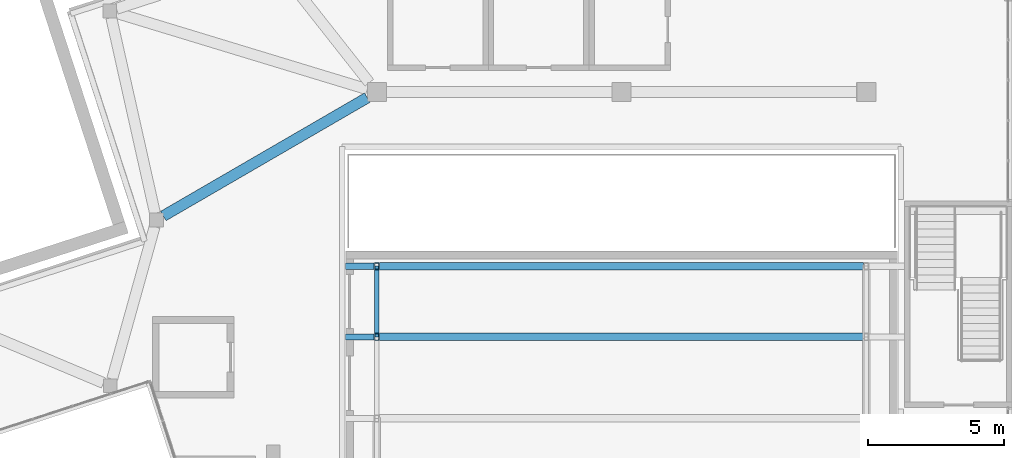
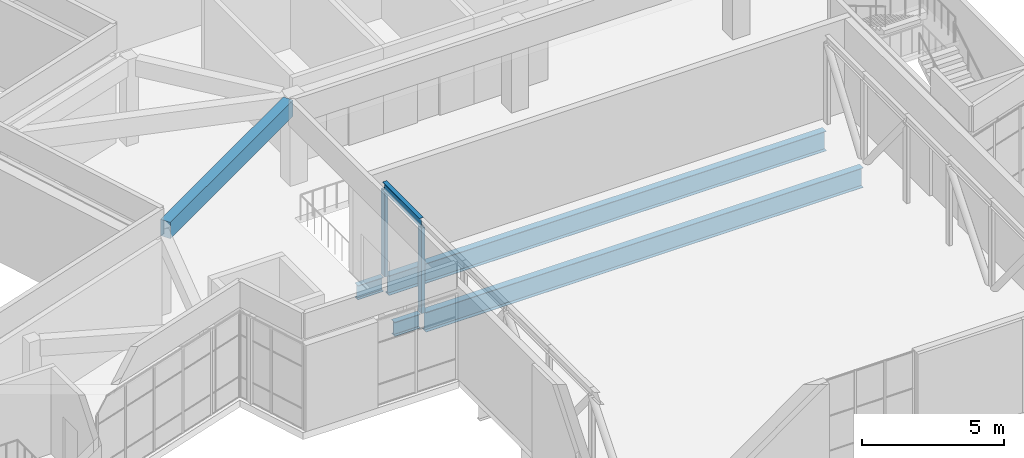
# One storey, part 17 of 72: 5 beams, 3 members.
"""IFC4 building model written with IfcOpenShell, lengths in metres."""

import ifcopenshell
import ifcopenshell.guid

model = None  # the IFC model being written
_history = None  # IfcOwnerHistory: only IFC2X3 demands one
_inside = {}  # id of a spatial element -> (the spatial element, [elements in it])
_under = {}  # id of a project, library or spatial element -> (it, [spatial elements below it])
_declared = {}  # id of a project -> (the project, [libraries it declares])
_typed = {}  # id of a type object -> (the type object, [elements of that type])
_made_of = {}  # id of a material, layer set ... -> (it, [elements and type objects made of it])


def new_model(schema):
    """Start an empty IFC model of exactly this schema.

    Asked for "IFC4X3", IfcOpenShell would pick the latest addendum, in which some entities
    have other attributes; the version numbers below select the first issue.
    IFC2X3 requires an IfcOwnerHistory on every rooted entity: one is made here for all.
    """
    global model, _history
    if schema == "IFC4X3":
        model = ifcopenshell.file(schema_version=(4, 3, 0, 0))
    else:
        model = ifcopenshell.file(schema=schema)
    _inside.clear()
    _under.clear()
    _declared.clear()
    _typed.clear()
    _made_of.clear()
    _history = None
    if model.schema == "IFC2X3":
        org = make("IfcOrganization", Name="unknown")
        user = make(
            "IfcPersonAndOrganization",
            ThePerson=make("IfcPerson", FamilyName="unknown"),
            TheOrganization=org,
        )
        app = make(
            "IfcApplication",
            ApplicationDeveloper=org,
            Version="unknown",
            ApplicationFullName="unknown",
            ApplicationIdentifier="unknown",
        )
        _history = make(
            "IfcOwnerHistory",
            OwningUser=user,
            OwningApplication=app,
            ChangeAction="ADDED",
            CreationDate=0,
        )
    return model


def make(cls, **values):
    """One entity of the class cls with the attributes given. An attribute that is None is left unset."""
    return model.create_entity(
        cls, **{name: value for name, value in values.items() if value is not None}
    )


def rooted(cls, **values):
    """An entity with a GlobalId (a new one), such as an element, a storey or a relation."""
    return make(cls, GlobalId=ifcopenshell.guid.new(), OwnerHistory=_history, **values)


def si_unit(unit_type, name, prefix=None):
    """IfcSIUnit, for example si_unit("LENGTHUNIT", "METRE", prefix="MILLI")."""
    return make("IfcSIUnit", UnitType=unit_type, Prefix=prefix, Name=name)


def assignment(units):
    """IfcUnitAssignment: the units of a project."""
    return None if units is None else make("IfcUnitAssignment", Units=units)


def point(xyz):
    """IfcCartesianPoint."""
    return None if xyz is None else make("IfcCartesianPoint", Coordinates=xyz)


def direction(xyz):
    """IfcDirection."""
    return None if xyz is None else make("IfcDirection", DirectionRatios=xyz)


def frame(location, z_axis=None, x_axis=None):
    """IfcAxis2Placement3D, a coordinate frame: its origin and axes. An axis left out is left unset."""
    return make(
        "IfcAxis2Placement3D",
        Location=point(location),
        Axis=direction(z_axis),
        RefDirection=direction(x_axis),
    )


def frame_2d(location, x_axis=None):
    """IfcAxis2Placement2D, a coordinate frame in the plane: its origin and x axis."""
    return make(
        "IfcAxis2Placement2D", Location=point(location), RefDirection=direction(x_axis)
    )


def origin():
    """The frame at (0, 0, 0) with its axes left unset."""
    return frame((0.0, 0.0, 0.0))


def origin_2d():
    """The frame at (0, 0) in the plane with its x axis left unset."""
    return frame_2d((0.0, 0.0))


def place(relative_to, where):
    """IfcLocalPlacement: puts the frame where relative to a parent placement (None: the world)."""
    return make(
        "IfcLocalPlacement", PlacementRelTo=relative_to, RelativePlacement=where
    )


def context(
    kind, dimensions, precision=None, world=None, true_north=None, identifier=None
):
    """IfcGeometricRepresentationContext, for example the 3D "Model" context."""
    return make(
        "IfcGeometricRepresentationContext",
        ContextIdentifier=identifier,
        ContextType=kind,
        CoordinateSpaceDimension=dimensions,
        Precision=precision,
        WorldCoordinateSystem=world,
        TrueNorth=true_north,
    )


def subcontext(parent, identifier, kind, view, scale=None):
    """IfcGeometricRepresentationSubContext, for example "Body" below "Model"."""
    return make(
        "IfcGeometricRepresentationSubContext",
        ContextIdentifier=identifier,
        ContextType=kind,
        ParentContext=parent,
        TargetScale=scale,
        TargetView=view,
    )


def project(units=None, contexts=None):
    """IfcProject with its units and contexts."""
    return rooted(
        "IfcProject",
        Name="project",
        RepresentationContexts=contexts,
        UnitsInContext=assignment(units),
    )


def spatial(cls, under=None, at=None, **own):
    """A site, building, storey or space (cls), placed at a placement, below another one or the project."""
    s = rooted(cls, ObjectPlacement=at, **own)
    if under is not None:
        _under.setdefault(under.id(), (under, []))[1].append(s)
    return s


def profile(cls, at=None, kind="AREA", **sizes):
    """A parametric profile (cls). Its sizes go by their IFC names, for example OverallWidth=200.0."""
    return make(cls, ProfileType=kind, Position=at, **sizes)


def rectangle(**sizes):
    """IfcRectangleProfileDef."""
    return profile("IfcRectangleProfileDef", **sizes)


def hollow_rectangle(**sizes):
    """IfcRectangleHollowProfileDef."""
    return profile("IfcRectangleHollowProfileDef", **sizes)


def i_section(**sizes):
    """IfcIShapeProfileDef."""
    return profile("IfcIShapeProfileDef", **sizes)


def extrude(swept, where, along, depth):
    """IfcExtrudedAreaSolid: the profile swept, set in the frame where, extruded along a direction by depth."""
    return make(
        "IfcExtrudedAreaSolid",
        SweptArea=swept,
        Position=where,
        ExtrudedDirection=direction(along),
        Depth=depth,
    )


def shape(context_of_items, identifier, shape_type, items):
    """IfcShapeRepresentation: the items that make up one representation, for example the "Body"."""
    return make(
        "IfcShapeRepresentation",
        ContextOfItems=context_of_items,
        RepresentationIdentifier=identifier,
        RepresentationType=shape_type,
        Items=items,
    )


def material(Name=None, Category=None):
    """IfcMaterial."""
    return make("IfcMaterial", Name=Name, Category=Category)


def material_profile(
    of_material, cross_section, Name=None, Category=None, Priority=None
):
    """IfcMaterialProfile: a cross section and its material."""
    return make(
        "IfcMaterialProfile",
        Name=Name,
        Material=of_material,
        Profile=cross_section,
        Priority=Priority,
        Category=Category,
    )


def profile_set(profiles, Name=None, composite=None):
    """IfcMaterialProfileSet."""
    return make(
        "IfcMaterialProfileSet",
        Name=Name,
        MaterialProfiles=profiles,
        CompositeProfile=composite,
    )


def made_of(thing, what):
    """Note that an element or type object is made of a material, layer set ...; save() writes the relation."""
    if what is not None:
        _made_of.setdefault(what.id(), (what, []))[1].append(thing)
    return thing


def type_object(cls, material=None, **own):
    """A type object (cls), such as IfcWallType, which elements share."""
    return made_of(rooted(cls, **own), material)


def element(
    cls,
    number,
    at=None,
    inside=None,
    cuts=None,
    type_object=None,
    material=None,
    context=None,
    identifier="Body",
    shape_type=None,
    held_by="IfcProductDefinitionShape",
    body=None,
    shapes=None,
    **own,
):
    """One element of the class cls, such as IfcWall. Its Tag is "e" and its number.

    at: its placement. inside: the storey or other place that contains it. cuts: it is an
    opening in that element (IfcRelVoidsElement). A single representation is given by context,
    identifier, shape_type and body (its items); several are given by shapes. held_by: the class
    of the entity that holds the representations. save() writes the other relations.
    """
    e = rooted(cls, Tag="e%d" % number, ObjectPlacement=at, **own)
    if body is not None:
        shapes = [shape(context, identifier, shape_type, body)]
    if shapes is not None:
        e.Representation = make(held_by, Representations=shapes)
    if inside is not None:
        _inside.setdefault(inside.id(), (inside, []))[1].append(e)
    if cuts is not None:
        rooted(
            "IfcRelVoidsElement", RelatingBuildingElement=cuts, RelatedOpeningElement=e
        )
    if type_object is not None:
        _typed.setdefault(type_object.id(), (type_object, []))[1].append(e)
    return made_of(e, material)


def aggregate(whole, parts):
    """IfcRelAggregates: a whole, such as a stair, and the parts it consists of."""
    return rooted("IfcRelAggregates", RelatingObject=whole, RelatedObjects=parts)


def save(model, path):
    """Write the relations noted so far, then the file.

    IfcRelAggregates (storeys below a building ...), IfcRelContainedInSpatialStructure (elements
    in a storey), IfcRelDefinesByType, IfcRelAssociatesMaterial and IfcRelDeclares: one each for
    every whole, place, type object, material and project.
    """
    for whole, parts in _under.values():
        aggregate(whole, parts)
    for where, things in _inside.values():
        rooted(
            "IfcRelContainedInSpatialStructure",
            RelatedElements=things,
            RelatingStructure=where,
        )
    for kind, things in _typed.values():
        rooted("IfcRelDefinesByType", RelatedObjects=things, RelatingType=kind)
    for what, things in _made_of.values():
        rooted("IfcRelAssociatesMaterial", RelatedObjects=things, RelatingMaterial=what)
    for by, libraries in _declared.values():
        rooted("IfcRelDeclares", RelatingContext=by, RelatedDefinitions=libraries)
    model.write(path)


model = new_model("IFC4")

# Units and contexts
model_context = context("Model", 3, precision=1e-05, world=origin(), true_north=direction((0.0, 1.0)))
body_context = subcontext(model_context, "Body", "Model", "MODEL_VIEW")
ifc_project = project(units=[si_unit("LENGTHUNIT", "METRE"), si_unit("AREAUNIT", "SQUARE_METRE"), si_unit("VOLUMEUNIT", "CUBIC_METRE"), si_unit("PLANEANGLEUNIT", "RADIAN"), si_unit("MASSUNIT", "GRAM", prefix="KILO")], contexts=[model_context])

# Site, building, storey
site_placement = place(None, origin())
site = spatial("IfcSite", under=ifc_project, at=site_placement, CompositionType="ELEMENT")
building_placement = place(site_placement, origin())
building = spatial("IfcBuilding", under=site, at=building_placement, Name="Tuart Plaza Theatre", CompositionType="ELEMENT")
storey_placement = place(building_placement, frame((0.0, 0.0, 13.5)))
storey = spatial("IfcBuildingStorey", under=building, at=storey_placement, Name="L03", CompositionType="ELEMENT", Elevation=13.5)

# Beams
ifc_material_1 = material(Name="Concrete N40 (40 MPa)", Category="concrete")
ifc_material_profile_1 = material_profile(ifc_material_1, rectangle(XDim=0.39990234375, YDim=0.699951171875, at=origin_2d()), Name="BEAM 400x700 Concrete N40 (40 MPa)")
ifc_profile_set_1 = profile_set([ifc_material_profile_1], Name="Concrete N40 (40 MPa)")
beam_type_1 = type_object("IfcBeamType", Name="BEAM 400x700 Concrete N40 (40 MPa)", PredefinedType="BEAM", material=ifc_profile_set_1)
beam_1_placement = place(storey_placement, frame((86.64990234375, 55.796875, 3.35009765625), z_axis=(-0.864940750238, -0.501873986751, 0.0), x_axis=(0.501873986751, -0.864940750238, 0.0)))
element("IfcBeam", 1, at=beam_1_placement, inside=storey, type_object=beam_type_1, Name="RB487", PredefinedType="BEAM", context=body_context, shape_type="SweptSolid", body=[
    extrude(rectangle(XDim=0.39990234375, YDim=0.699951171875, at=origin_2d()), origin(), (0.0, 0.0, 1.0), 8.671142578125),
])
ifc_material_2 = material(Name="Steel Grade 300", Category="steel")
ifc_material_profile_2 = material_profile(ifc_material_2, i_section(OverallWidth=0.22900390625, OverallDepth=0.612060546875, WebThickness=0.011962890625, FlangeThickness=0.01953125, FilletRadius=0.013916015625, at=origin_2d()), Name="610UB125")
ifc_profile_set_2 = profile_set([ifc_material_profile_2], Name="Steel Grade 300")
beam_type_2 = type_object("IfcBeamType", Name="BEAM 610UB125", PredefinedType="BEAM", material=ifc_profile_set_2)
for number, where, z_axis, x_axis, name in (
    (2, (85.85009765625, 47.0, -0.555908203125), (1.0, 0.0, 0.0), (0.0, 1.0, 0.0), "SB115"),
    (3, (85.85009765625, 49.60009765625, -0.555908203125), (1.0, 0.0, 0.0), (0.0, 1.0, 0.0), "SB118"),
):
    element("IfcBeam", number, at=place(storey_placement, frame(where, z_axis=z_axis, x_axis=x_axis)), inside=storey, type_object=beam_type_2, Name=name, PredefinedType="BEAM", context=body_context, shape_type="SweptSolid", body=[
        extrude(i_section(OverallWidth=0.22900390625, OverallDepth=0.612060546875, WebThickness=0.011962890625, FlangeThickness=0.01953125, FilletRadius=0.013916015625, at=origin_2d()), origin(), (0.0, 0.0, 1.0), 1.04541015625),
    ])
ifc_material_3 = material(Name="Steel Grade 300", Category="steel")
ifc_material_profile_3 = material_profile(ifc_material_3, i_section(OverallWidth=0.27490234375, OverallDepth=0.85009765625, WebThickness=0.010009765625, FlangeThickness=0.01611328125, at=origin_2d()), Name="850WB146")
ifc_profile_set_3 = profile_set([ifc_material_profile_3], Name="Steel Grade 300")
beam_type_3 = type_object("IfcBeamType", Name="BEAM 850WB146 FLOOR PROPPED", PredefinedType="BEAM", material=ifc_profile_set_3)
beam_2_placement = place(storey_placement, frame((87.1044921875, 47.0, -0.675048828125), z_axis=(1.0, 0.0, 0.0), x_axis=(0.0, 1.0, 0.0)))
element("IfcBeam", 4, at=beam_2_placement, inside=storey, type_object=beam_type_3, Name="SB116", PredefinedType="BEAM", context=body_context, shape_type="SweptSolid", body=[
    extrude(i_section(OverallWidth=0.27490234375, OverallDepth=0.85009765625, WebThickness=0.010009765625, FlangeThickness=0.01611328125, at=origin_2d()), origin(), (0.0, 0.0, 1.0), 17.791015625),
])
ifc_material_4 = material(Name="Steel Grade 300", Category="steel")
ifc_material_profile_4 = material_profile(ifc_material_4, i_section(OverallWidth=0.27490234375, OverallDepth=0.85009765625, WebThickness=0.010009765625, FlangeThickness=0.01611328125, at=origin_2d()), Name="850WB146")
ifc_profile_set_4 = profile_set([ifc_material_profile_4], Name="Steel Grade 300")
beam_type_4 = type_object("IfcBeamType", Name="BEAM 850WB146 FLOOR REAR EDGE", PredefinedType="BEAM", material=ifc_profile_set_4)
beam_3_placement = place(storey_placement, frame((87.1044921875, 49.60009765625, -0.675048828125), z_axis=(1.0, 0.0, 0.0), x_axis=(0.0, 1.0, 0.0)))
element("IfcBeam", 5, at=beam_3_placement, inside=storey, type_object=beam_type_4, Name="SB119", PredefinedType="BEAM", context=body_context, shape_type="SweptSolid", body=[
    extrude(i_section(OverallWidth=0.27490234375, OverallDepth=0.85009765625, WebThickness=0.010009765625, FlangeThickness=0.01611328125, at=origin_2d()), origin(), (0.0, 0.0, 1.0), 17.791015625),
])

# Members
ifc_material_5 = material(Name="Steel Grade 300", Category="steel")
ifc_material_profile_5 = material_profile(ifc_material_5, i_section(OverallWidth=0.1708984375, OverallDepth=0.35205078125, WebThickness=0.0068359375, FlangeThickness=0.009765625, FilletRadius=0.011474609375, at=origin_2d()), Name="360UB44.7")
ifc_profile_set_5 = profile_set([ifc_material_profile_5], Name="Steel Grade 300")
member_type_1 = type_object("IfcMemberType", Name="BELT TRUSS Chord 360UB44.7", PredefinedType="CHORD", material=ifc_profile_set_5)
member_placement = place(storey_placement, frame((87.0, 47.0, 3.60009765625), z_axis=(0.0, 1.0, 0.0), x_axis=(-1.0, 0.0, 0.0)))
element("IfcMember", 6, at=member_placement, inside=storey, type_object=member_type_1, Name="CH47", PredefinedType="CHORD", context=body_context, shape_type="SweptSolid", body=[
    extrude(i_section(OverallWidth=0.1708984375, OverallDepth=0.35205078125, WebThickness=0.0068359375, FlangeThickness=0.009765625, FilletRadius=0.011474609375, at=origin_2d()), origin(), (0.0, 0.0, 1.0), 2.60009765625),
])
ifc_material_6 = material(Name="Steel Grade C350L0", Category="steel")
ifc_material_profile_6 = material_profile(ifc_material_6, hollow_rectangle(XDim=0.14990234375, YDim=0.25, WallThickness=0.009033203125, InnerFilletRadius=0.009033203125, OuterFilletRadius=0.01806640625, at=origin_2d()), Name="250x150x9 RHS")
ifc_profile_set_6 = profile_set([ifc_material_profile_6], Name="Steel Grade C350L0")
member_type_2 = type_object("IfcMemberType", Name="BELT TRUSS Post 250x150x9 RHS", PredefinedType="POST", material=ifc_profile_set_6)
for number, where, z_axis, x_axis, name in (
    (7, (87.0, 47.0, -0.25341796875), (0.0, 0.0, 1.0), (1.0, 0.0, 0.0), "PO223"),
    (8, (87.0, 49.60009765625, -0.25341796875), (0.0, 0.0, 1.0), (1.0, 0.0, 0.0), "PO225"),
):
    element("IfcMember", number, at=place(storey_placement, frame(where, z_axis=z_axis, x_axis=x_axis)), inside=storey, type_object=member_type_2, Name=name, PredefinedType="POST", context=body_context, shape_type="SweptSolid", body=[
        extrude(hollow_rectangle(XDim=0.14990234375, YDim=0.25, WallThickness=0.009033203125, InnerFilletRadius=0.009033203125, OuterFilletRadius=0.01806640625, at=origin_2d()), origin(), (0.0, 0.0, 1.0), 3.677490234375),
    ])

save(model, "model.ifc")
